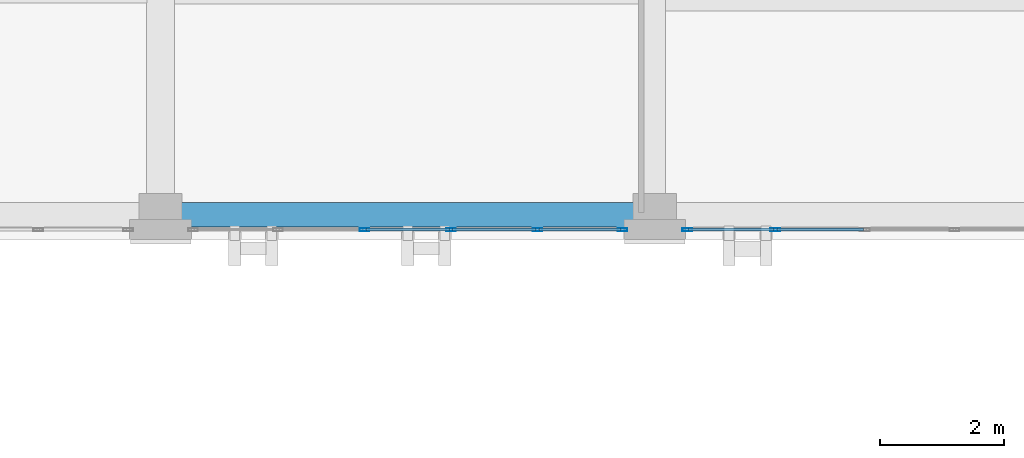
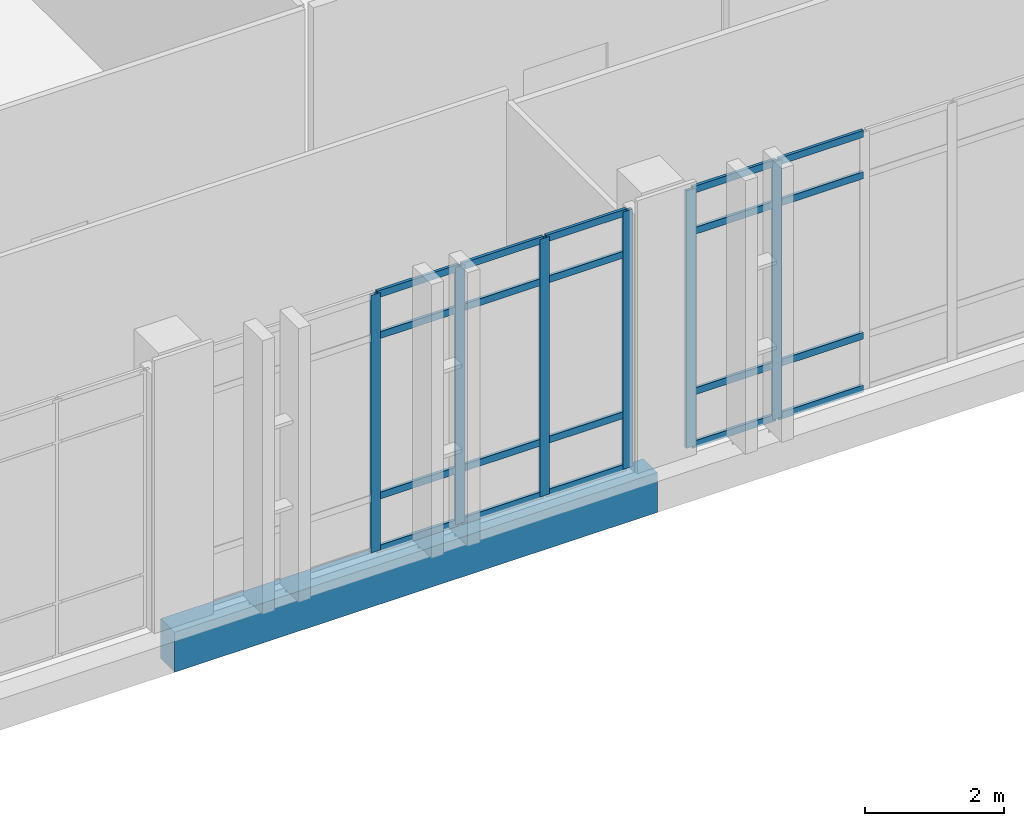
# One storey, part 83 of 189: 26 members, 1 beam, 2 elements without a shape of their own.
"""IFC4 building model written with IfcOpenShell, lengths in metres."""

from ifc_helpers import new_model, si_unit, direction, frame, origin, origin_2d, place, context, subcontext, project, spatial, rectangle, hollow_rectangle, extrude, material, layer, layer_set, material_profile, profile_set, type_object, element, aggregate, save


model = new_model("IFC4")

# Units and contexts
model_context = context("Model", 3, precision=1e-05, world=origin(), true_north=direction((0.0, 1.0)))
body_context = subcontext(model_context, "Body", "Model", "MODEL_VIEW")
ifc_project = project(units=[si_unit("LENGTHUNIT", "METRE"), si_unit("AREAUNIT", "SQUARE_METRE"), si_unit("VOLUMEUNIT", "CUBIC_METRE"), si_unit("PLANEANGLEUNIT", "RADIAN"), si_unit("MASSUNIT", "GRAM", prefix="KILO")], contexts=[model_context])

# Site, building, storey
site_placement = place(None, origin())
site = spatial("IfcSite", under=ifc_project, at=site_placement, CompositionType="ELEMENT")
building_placement = place(site_placement, origin())
building = spatial("IfcBuilding", under=site, at=building_placement, Name="Qalavern Law Courts", CompositionType="ELEMENT")
storey_placement = place(building_placement, frame((0.0, 0.0, 5.39990234375)))
storey = spatial("IfcBuildingStorey", under=building, at=storey_placement, Name="L01", CompositionType="ELEMENT", Elevation=5.39990234375)

# Curtain wall, members
ifc_material_1 = material(Name="Anodised aluminium and insulated glazing", Category="aluminium")
ifc_layer = layer(ifc_material_1, 0.166015625)
ifc_layer_set = layer_set([ifc_layer], Name="Anodised aluminium and insulated glazing")
curtain_wall_type = type_object("IfcCurtainWallType", Name="ENV-CW-LIB", PredefinedType="USERDEFINED", material=ifc_layer_set)
curtain_wall_1_placement = place(storey_placement, origin())
curtain_wall_1 = element("IfcCurtainWall", 1, at=curtain_wall_1_placement, inside=storey, type_object=curtain_wall_type, Name="V5 unitised curtain wall L01 south 3", ObjectType="UNITISED CURTAIN WALL", PredefinedType="USERDEFINED")
ifc_material_2 = material(Name="Anodised aluminium", Category="aluminium")
ifc_material_profile_1 = material_profile(ifc_material_2, hollow_rectangle(XDim=0.048095703125, YDim=0.159912109375, WallThickness=0.00390625, at=origin_2d()), Name="ALU MULLION 48x160")
ifc_profile_set_1 = profile_set([ifc_material_profile_1], Name="Anodised aluminium")
member_type_1 = type_object("IfcMemberType", Name="ENV-CWM-48x160", PredefinedType="MULLION", material=ifc_profile_set_1)
member_1_placement = place(storey_placement, frame((40.10009765625, 96.362548828125, 0.0), z_axis=(0.0, 0.0, 1.0), x_axis=(0.0, 1.0, 0.0)))
member_1 = element("IfcMember", 2, at=member_1_placement, type_object=member_type_1, Name="CW-05 mullion 3", PredefinedType="MULLION", context=body_context, shape_type="SweptSolid", body=[
    extrude(hollow_rectangle(XDim=0.048095703125, YDim=0.159912109375, WallThickness=0.00390625, at=origin_2d()), origin(), (0.0, 0.0, 1.0), 4.510009765625),
])
member_2_placement = place(storey_placement, frame((41.5, 96.362548828125, 0.0), z_axis=(0.0, 0.0, 1.0), x_axis=(0.0, 1.0, 0.0)))
member_2 = element("IfcMember", 3, at=member_2_placement, type_object=member_type_1, Name="CW-05 mullion 4", PredefinedType="MULLION", context=body_context, shape_type="SweptSolid", body=[
    extrude(hollow_rectangle(XDim=0.048095703125, YDim=0.159912109375, WallThickness=0.00390625, at=origin_2d()), origin(), (0.0, 0.0, 1.0), 4.510009765625),
])
member_3_placement = place(storey_placement, frame((42.89990234375, 96.362548828125, 0.0), z_axis=(0.0, 0.0, 1.0), x_axis=(0.0, 1.0, 0.0)))
member_3 = element("IfcMember", 4, at=member_3_placement, type_object=member_type_1, Name="CW-05 mullion 5", PredefinedType="MULLION", context=body_context, shape_type="SweptSolid", body=[
    extrude(hollow_rectangle(XDim=0.048095703125, YDim=0.159912109375, WallThickness=0.00390625, at=origin_2d()), origin(), (0.0, 0.0, 1.0), 4.510009765625),
])
member_4_placement = place(storey_placement, frame((44.27587890625, 96.362548828125, 0.0), z_axis=(0.0, 0.0, 1.0), x_axis=(0.0, 1.0, 0.0)))
member_4 = element("IfcMember", 5, at=member_4_placement, type_object=member_type_1, Name="CW-05 mullion 6", PredefinedType="MULLION", context=body_context, shape_type="SweptSolid", body=[
    extrude(hollow_rectangle(XDim=0.048095703125, YDim=0.159912109375, WallThickness=0.00390625, at=origin_2d()), origin(), (0.0, 0.0, 1.0), 4.510009765625),
])

curtain_wall_2_placement = place(storey_placement, origin())
curtain_wall_2 = element("IfcCurtainWall", 6, at=curtain_wall_2_placement, inside=storey, type_object=curtain_wall_type, Name="V5 unitised curtain wall L01 south 4", ObjectType="UNITISED CURTAIN WALL", PredefinedType="USERDEFINED")
member_5_placement = place(storey_placement, frame((45.323974609375, 96.362548828125, 0.0), z_axis=(0.0, 0.0, 1.0), x_axis=(0.0, 1.0, 0.0)))
member_5 = element("IfcMember", 7, at=member_5_placement, type_object=member_type_1, Name="CW-05 mullion 1", PredefinedType="MULLION", context=body_context, shape_type="SweptSolid", body=[
    extrude(hollow_rectangle(XDim=0.048095703125, YDim=0.159912109375, WallThickness=0.00390625, at=origin_2d()), origin(), (0.0, 0.0, 1.0), 4.510009765625),
])
member_6_placement = place(storey_placement, frame((46.75, 96.362548828125, 0.0), z_axis=(0.0, 0.0, 1.0), x_axis=(0.0, 1.0, 0.0)))
member_6 = element("IfcMember", 8, at=member_6_placement, type_object=member_type_1, Name="CW-05 mullion 2", PredefinedType="MULLION", context=body_context, shape_type="SweptSolid", body=[
    extrude(hollow_rectangle(XDim=0.048095703125, YDim=0.159912109375, WallThickness=0.00390625, at=origin_2d()), origin(), (0.0, 0.0, 1.0), 4.510009765625),
])

# Member
ifc_material_profile_2 = material_profile(ifc_material_2, hollow_rectangle(XDim=0.048095703125, YDim=0.1201171875, WallThickness=0.00390625, at=origin_2d()), Name="ALU TRANSOM 48x120")
ifc_profile_set_2 = profile_set([ifc_material_profile_2], Name="Anodised aluminium")
member_type_2 = type_object("IfcMemberType", Name="ENV-CWT-48x120", PredefinedType="USERDEFINED", material=ifc_profile_set_2)
member_7_placement = place(storey_placement, frame((40.1240234375, 96.362548828125, 0.024169921875), z_axis=(1.0, 0.0, 0.0), x_axis=(0.0, 1.0, 0.0)))
member_7 = element("IfcMember", 9, at=member_7_placement, type_object=member_type_2, Name="CW-05 transom 3.1", ObjectType="TRANSOM", PredefinedType="USERDEFINED", context=body_context, shape_type="SweptSolid", body=[
    extrude(hollow_rectangle(XDim=0.048095703125, YDim=0.1201171875, WallThickness=0.00390625, at=origin_2d()), origin(), (0.0, 0.0, 1.0), 1.35205078125),
])

member_8_placement = place(storey_placement, frame((40.1240234375, 96.362548828125, 0.9501953125), z_axis=(1.0, 0.0, 0.0), x_axis=(0.0, 1.0, 0.0)))
member_8 = element("IfcMember", 10, at=member_8_placement, type_object=member_type_2, Name="CW-05 transom 3.2", ObjectType="TRANSOM", PredefinedType="USERDEFINED", context=body_context, shape_type="SweptSolid", body=[
    extrude(hollow_rectangle(XDim=0.048095703125, YDim=0.1201171875, WallThickness=0.00390625, at=origin_2d()), origin(), (0.0, 0.0, 1.0), 1.35205078125),
])

member_9_placement = place(storey_placement, frame((40.1240234375, 96.362548828125, 3.760009765625), z_axis=(1.0, 0.0, 0.0), x_axis=(0.0, 1.0, 0.0)))
member_9 = element("IfcMember", 11, at=member_9_placement, type_object=member_type_2, Name="CW-05 transom 3.3", ObjectType="TRANSOM", PredefinedType="USERDEFINED", context=body_context, shape_type="SweptSolid", body=[
    extrude(hollow_rectangle(XDim=0.048095703125, YDim=0.1201171875, WallThickness=0.00390625, at=origin_2d()), origin(), (0.0, 0.0, 1.0), 1.35205078125),
])

member_10_placement = place(storey_placement, frame((40.1240234375, 96.362548828125, 4.486083984375), z_axis=(1.0, 0.0, 0.0), x_axis=(0.0, 1.0, 0.0)))
member_10 = element("IfcMember", 12, at=member_10_placement, type_object=member_type_2, Name="CW-05 transom 3.4", ObjectType="TRANSOM", PredefinedType="USERDEFINED", context=body_context, shape_type="SweptSolid", body=[
    extrude(hollow_rectangle(XDim=0.048095703125, YDim=0.1201171875, WallThickness=0.00390625, at=origin_2d()), origin(), (0.0, 0.0, 1.0), 1.35205078125),
])

member_11_placement = place(storey_placement, frame((41.52392578125, 96.362548828125, 0.024169921875), z_axis=(1.0, 0.0, 0.0), x_axis=(0.0, 1.0, 0.0)))
member_11 = element("IfcMember", 13, at=member_11_placement, type_object=member_type_2, Name="CW-05 transom 4.1", ObjectType="TRANSOM", PredefinedType="USERDEFINED", context=body_context, shape_type="SweptSolid", body=[
    extrude(hollow_rectangle(XDim=0.048095703125, YDim=0.1201171875, WallThickness=0.00390625, at=origin_2d()), origin(), (0.0, 0.0, 1.0), 1.35205078125),
])

member_12_placement = place(storey_placement, frame((41.52392578125, 96.362548828125, 0.9501953125), z_axis=(1.0, 0.0, 0.0), x_axis=(0.0, 1.0, 0.0)))
member_12 = element("IfcMember", 14, at=member_12_placement, type_object=member_type_2, Name="CW-05 transom 4.2", ObjectType="TRANSOM", PredefinedType="USERDEFINED", context=body_context, shape_type="SweptSolid", body=[
    extrude(hollow_rectangle(XDim=0.048095703125, YDim=0.1201171875, WallThickness=0.00390625, at=origin_2d()), origin(), (0.0, 0.0, 1.0), 1.35205078125),
])

member_13_placement = place(storey_placement, frame((41.52392578125, 96.362548828125, 3.760009765625), z_axis=(1.0, 0.0, 0.0), x_axis=(0.0, 1.0, 0.0)))
member_13 = element("IfcMember", 15, at=member_13_placement, type_object=member_type_2, Name="CW-05 transom 4.3", ObjectType="TRANSOM", PredefinedType="USERDEFINED", context=body_context, shape_type="SweptSolid", body=[
    extrude(hollow_rectangle(XDim=0.048095703125, YDim=0.1201171875, WallThickness=0.00390625, at=origin_2d()), origin(), (0.0, 0.0, 1.0), 1.35205078125),
])

member_14_placement = place(storey_placement, frame((41.52392578125, 96.362548828125, 4.486083984375), z_axis=(1.0, 0.0, 0.0), x_axis=(0.0, 1.0, 0.0)))
member_14 = element("IfcMember", 16, at=member_14_placement, type_object=member_type_2, Name="CW-05 transom 4.4", ObjectType="TRANSOM", PredefinedType="USERDEFINED", context=body_context, shape_type="SweptSolid", body=[
    extrude(hollow_rectangle(XDim=0.048095703125, YDim=0.1201171875, WallThickness=0.00390625, at=origin_2d()), origin(), (0.0, 0.0, 1.0), 1.35205078125),
])

member_15_placement = place(storey_placement, frame((42.924072265625, 96.362548828125, 0.024169921875), z_axis=(1.0, 0.0, 0.0), x_axis=(0.0, 1.0, 0.0)))
member_15 = element("IfcMember", 17, at=member_15_placement, type_object=member_type_2, Name="CW-05 transom 5.1", ObjectType="TRANSOM", PredefinedType="USERDEFINED", context=body_context, shape_type="SweptSolid", body=[
    extrude(hollow_rectangle(XDim=0.048095703125, YDim=0.1201171875, WallThickness=0.00390625, at=origin_2d()), origin(), (0.0, 0.0, 1.0), 1.327880859375),
])

member_16_placement = place(storey_placement, frame((42.924072265625, 96.362548828125, 0.9501953125), z_axis=(1.0, 0.0, 0.0), x_axis=(0.0, 1.0, 0.0)))
member_16 = element("IfcMember", 18, at=member_16_placement, type_object=member_type_2, Name="CW-05 transom 5.2", ObjectType="TRANSOM", PredefinedType="USERDEFINED", context=body_context, shape_type="SweptSolid", body=[
    extrude(hollow_rectangle(XDim=0.048095703125, YDim=0.1201171875, WallThickness=0.00390625, at=origin_2d()), origin(), (0.0, 0.0, 1.0), 1.327880859375),
])

member_17_placement = place(storey_placement, frame((42.924072265625, 96.362548828125, 3.760009765625), z_axis=(1.0, 0.0, 0.0), x_axis=(0.0, 1.0, 0.0)))
member_17 = element("IfcMember", 19, at=member_17_placement, type_object=member_type_2, Name="CW-05 transom 5.3", ObjectType="TRANSOM", PredefinedType="USERDEFINED", context=body_context, shape_type="SweptSolid", body=[
    extrude(hollow_rectangle(XDim=0.048095703125, YDim=0.1201171875, WallThickness=0.00390625, at=origin_2d()), origin(), (0.0, 0.0, 1.0), 1.327880859375),
])

member_18_placement = place(storey_placement, frame((42.924072265625, 96.362548828125, 4.486083984375), z_axis=(1.0, 0.0, 0.0), x_axis=(0.0, 1.0, 0.0)))
member_18 = element("IfcMember", 20, at=member_18_placement, type_object=member_type_2, Name="CW-05 transom 5.4", ObjectType="TRANSOM", PredefinedType="USERDEFINED", context=body_context, shape_type="SweptSolid", body=[
    extrude(hollow_rectangle(XDim=0.048095703125, YDim=0.1201171875, WallThickness=0.00390625, at=origin_2d()), origin(), (0.0, 0.0, 1.0), 1.327880859375),
])

aggregate(curtain_wall_1, [member_1, member_2, member_3, member_4, member_7, member_8, member_9, member_10, member_11, member_12, member_13, member_14, member_15, member_16, member_17, member_18])

member_19_placement = place(storey_placement, frame((45.347900390625, 96.362548828125, 0.024169921875), z_axis=(1.0, 0.0, 0.0), x_axis=(0.0, 1.0, 0.0)))
member_19 = element("IfcMember", 21, at=member_19_placement, type_object=member_type_2, Name="CW-05 transom 1.1", ObjectType="TRANSOM", PredefinedType="USERDEFINED", context=body_context, shape_type="SweptSolid", body=[
    extrude(hollow_rectangle(XDim=0.048095703125, YDim=0.1201171875, WallThickness=0.00390625, at=origin_2d()), origin(), (0.0, 0.0, 1.0), 1.378173828125),
])

member_20_placement = place(storey_placement, frame((45.347900390625, 96.362548828125, 0.9501953125), z_axis=(1.0, 0.0, 0.0), x_axis=(0.0, 1.0, 0.0)))
member_20 = element("IfcMember", 22, at=member_20_placement, type_object=member_type_2, Name="CW-05 transom 1.2", ObjectType="TRANSOM", PredefinedType="USERDEFINED", context=body_context, shape_type="SweptSolid", body=[
    extrude(hollow_rectangle(XDim=0.048095703125, YDim=0.1201171875, WallThickness=0.00390625, at=origin_2d()), origin(), (0.0, 0.0, 1.0), 1.378173828125),
])

member_21_placement = place(storey_placement, frame((45.347900390625, 96.362548828125, 3.760009765625), z_axis=(1.0, 0.0, 0.0), x_axis=(0.0, 1.0, 0.0)))
member_21 = element("IfcMember", 23, at=member_21_placement, type_object=member_type_2, Name="CW-05 transom 1.3", ObjectType="TRANSOM", PredefinedType="USERDEFINED", context=body_context, shape_type="SweptSolid", body=[
    extrude(hollow_rectangle(XDim=0.048095703125, YDim=0.1201171875, WallThickness=0.00390625, at=origin_2d()), origin(), (0.0, 0.0, 1.0), 1.378173828125),
])

member_22_placement = place(storey_placement, frame((45.347900390625, 96.362548828125, 4.486083984375), z_axis=(1.0, 0.0, 0.0), x_axis=(0.0, 1.0, 0.0)))
member_22 = element("IfcMember", 24, at=member_22_placement, type_object=member_type_2, Name="CW-05 transom 1.4", ObjectType="TRANSOM", PredefinedType="USERDEFINED", context=body_context, shape_type="SweptSolid", body=[
    extrude(hollow_rectangle(XDim=0.048095703125, YDim=0.1201171875, WallThickness=0.00390625, at=origin_2d()), origin(), (0.0, 0.0, 1.0), 1.378173828125),
])

member_23_placement = place(storey_placement, frame((46.77392578125, 96.362548828125, 0.024169921875), z_axis=(1.0, 0.0, 0.0), x_axis=(0.0, 1.0, 0.0)))
member_23 = element("IfcMember", 25, at=member_23_placement, type_object=member_type_2, Name="CW-05 transom 2.1", ObjectType="TRANSOM", PredefinedType="USERDEFINED", context=body_context, shape_type="SweptSolid", body=[
    extrude(hollow_rectangle(XDim=0.048095703125, YDim=0.1201171875, WallThickness=0.00390625, at=origin_2d()), origin(), (0.0, 0.0, 1.0), 1.402099609375),
])

member_24_placement = place(storey_placement, frame((46.77392578125, 96.362548828125, 0.9501953125), z_axis=(1.0, 0.0, 0.0), x_axis=(0.0, 1.0, 0.0)))
member_24 = element("IfcMember", 26, at=member_24_placement, type_object=member_type_2, Name="CW-05 transom 2.2", ObjectType="TRANSOM", PredefinedType="USERDEFINED", context=body_context, shape_type="SweptSolid", body=[
    extrude(hollow_rectangle(XDim=0.048095703125, YDim=0.1201171875, WallThickness=0.00390625, at=origin_2d()), origin(), (0.0, 0.0, 1.0), 1.402099609375),
])

member_25_placement = place(storey_placement, frame((46.77392578125, 96.362548828125, 3.760009765625), z_axis=(1.0, 0.0, 0.0), x_axis=(0.0, 1.0, 0.0)))
member_25 = element("IfcMember", 27, at=member_25_placement, type_object=member_type_2, Name="CW-05 transom 2.3", ObjectType="TRANSOM", PredefinedType="USERDEFINED", context=body_context, shape_type="SweptSolid", body=[
    extrude(hollow_rectangle(XDim=0.048095703125, YDim=0.1201171875, WallThickness=0.00390625, at=origin_2d()), origin(), (0.0, 0.0, 1.0), 1.402099609375),
])

member_26_placement = place(storey_placement, frame((46.77392578125, 96.362548828125, 4.486083984375), z_axis=(1.0, 0.0, 0.0), x_axis=(0.0, 1.0, 0.0)))
member_26 = element("IfcMember", 28, at=member_26_placement, type_object=member_type_2, Name="CW-05 transom 2.4", ObjectType="TRANSOM", PredefinedType="USERDEFINED", context=body_context, shape_type="SweptSolid", body=[
    extrude(hollow_rectangle(XDim=0.048095703125, YDim=0.1201171875, WallThickness=0.00390625, at=origin_2d()), origin(), (0.0, 0.0, 1.0), 1.402099609375),
])

aggregate(curtain_wall_2, [member_5, member_6, member_19, member_20, member_21, member_22, member_23, member_24, member_25, member_26])

# Beam
ifc_material_3 = material(Name="Concrete C40/50", Category="concrete")
ifc_material_profile_3 = material_profile(ifc_material_3, rectangle(XDim=0.39990234375, YDim=0.699951171875, at=origin_2d()), Name="RC 400x700")
ifc_profile_set_3 = profile_set([ifc_material_profile_3], Name="Concrete C40/50")
beam_type = type_object("IfcBeamType", Name="STR-SP-RC400x700", PredefinedType="SPANDREL", material=ifc_profile_set_3)
beam_placement = place(storey_placement, frame((36.800048828125, 96.60009765625, -0.64990234375), z_axis=(1.0, 0.0, 0.0), x_axis=(0.0, 1.0, 0.0)))
element("IfcBeam", 29, at=beam_placement, inside=storey, type_object=beam_type, Name="V5 X-beam 1-5 L01", PredefinedType="SPANDREL", context=body_context, shape_type="SweptSolid", body=[
    extrude(rectangle(XDim=0.39990234375, YDim=0.699951171875, at=origin_2d()), origin(), (0.0, 0.0, 1.0), 8.0),
])

save(model, "model.ifc")
